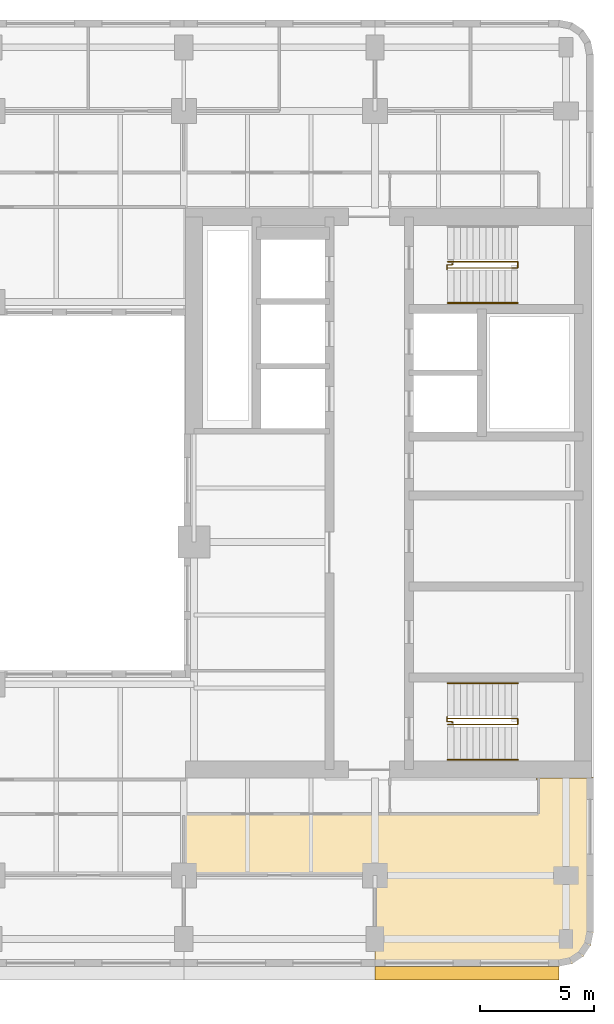
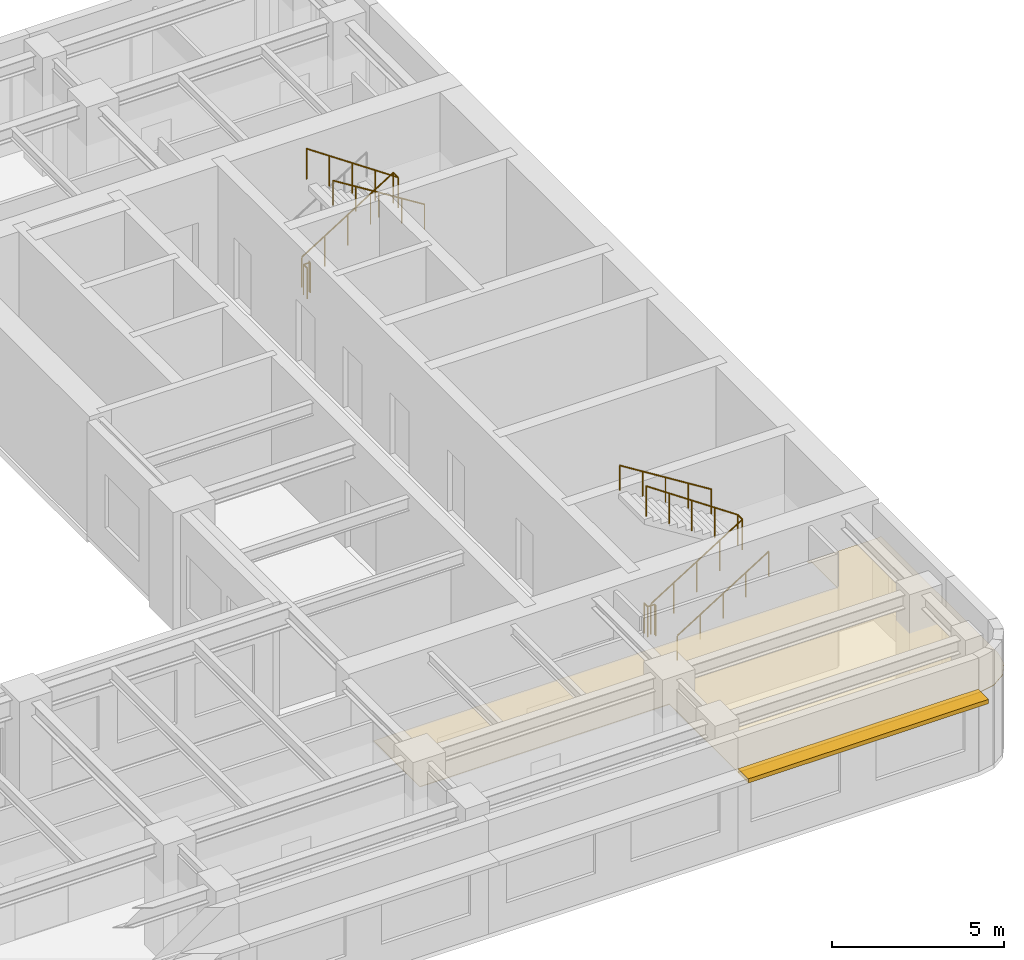
# One storey, part 10 of 11: 7 railings, 1 covering, 1 shading device.
"""IFC4 building model written with IfcOpenShell, lengths in metres."""

from ifc_helpers import new_model, si_unit, direction, frame, origin, origin_2d, place, context, subcontext, project, spatial, polyline, rectangle, circle, outline, extrude, material, layer, layer_set, type_object, element, save


model = new_model("IFC4")

# Units and contexts
model_context = context("Model", 3, precision=1e-05, world=origin(), true_north=direction((0.0, 1.0)))
body_context = subcontext(model_context, "Body", "Model", "MODEL_VIEW")
ifc_project = project(units=[si_unit("LENGTHUNIT", "METRE"), si_unit("AREAUNIT", "SQUARE_METRE"), si_unit("VOLUMEUNIT", "CUBIC_METRE"), si_unit("PLANEANGLEUNIT", "RADIAN"), si_unit("MASSUNIT", "GRAM", prefix="KILO")], contexts=[model_context])

# Site, building, storey
site_placement = place(None, origin())
site = spatial("IfcSite", under=ifc_project, at=site_placement, CompositionType="ELEMENT")
building_placement = place(site_placement, origin())
building = spatial("IfcBuilding", under=site, at=building_placement, Name="Claustro Exchange Tower", CompositionType="ELEMENT")
storey_placement = place(building_placement, frame((0.0, 0.0, 207.0)))
storey = spatial("IfcBuildingStorey", under=building, at=storey_placement, Name="L47", CompositionType="ELEMENT", Elevation=207.0)

# Covering
ifc_material_1 = material(Name="Gypsum board ceiling", Category="gypsum board")
ifc_layer_1 = layer(ifc_material_1, 0.02490234375)
ifc_layer_set_1 = layer_set([ifc_layer_1], Name="Gypsum board ceiling")
covering_type = type_object("IfcCoveringType", Name="CL2 plasterboard ceiling", PredefinedType="CEILING", material=ifc_layer_set_1)
covering_placement = place(storey_placement, frame((0.0, 0.0, 2.800048828125)))
element("IfcCovering", 1, at=covering_placement, inside=storey, type_object=covering_type, Name="Ceiling CL2 L47-08", PredefinedType="CEILING", context=body_context, shape_type="SweptSolid", body=[
    extrude(outline(polyline([(51.60009765625, 5.89990234375), (51.60009765625, 12.695068359375), (51.52490234375, 12.695068359375), (51.52490234375, 12.675048828125), (49.10498046875, 12.675048828125), (49.10498046875, 12.60009765625), (49.199951171875, 12.60009765625), (49.199951171875, 11.10009765625), (33.60009765625, 11.10009765625), (33.60009765625, 8.39990234375), (42.0, 8.39990234375), (42.0, 4.39990234375), (50.10009765625, 4.39990234375), (50.674072265625, 4.51416015625), (51.16064453125, 4.83935546875), (51.48583984375, 5.325927734375), (51.60009765625, 5.89990234375)])), origin(), (0.0, 0.0, 1.0), 0.02490234375),
])

# Railings
ifc_material_2 = material(Name="Steel balustrade, painted", Category="steel")
railing_type_1 = type_object("IfcRailingType", Name="GR2 1100 steel stair guard", PredefinedType="GUARDRAIL", material=ifc_material_2)
railing_1_placement = place(storey_placement, frame((45.199951171875, 15.02490234375, 0.175048828125)))
element("IfcRailing", 2, at=railing_1_placement, inside=storey, type_object=railing_type_1, Name="Stair well guard GR2 stair STEA L47", PredefinedType="GUARDRAIL", context=body_context, shape_type="SweptSolid", body=[
    extrude(circle(Radius=0.02392578125, at=origin_2d()), frame((0.0, 0.0, 1.076171875), z_axis=(0.847998304005, 0.0, 0.529998940003), x_axis=(0.0, 1.0, 0.0)), (0.0, 0.0, 1.0), 3.632080078125),
    extrude(circle(Radius=0.02392578125, at=origin_2d()), frame((3.080078125, 0.0, 3.0009765625), z_axis=(0.0, 1.0, 0.0), x_axis=(-1.0, 0.0, 0.0)), (0.0, 0.0, 1.0), 0.275146484375),
    extrude(circle(Radius=0.02392578125, at=origin_2d()), frame((3.080078125, 0.275146484375, 3.0009765625), z_axis=(-0.826252282691, 0.0, 0.563300244406), x_axis=(0.0, -1.0, 0.0)), (0.0, 0.0, 1.0), 3.727783203125),
    extrude(circle(Radius=0.02099609375, at=origin_2d()), origin(), (0.0, 0.0, 1.0), 1.052001953125),
    extrude(circle(Radius=0.02099609375, at=origin_2d()), frame((0.77001953125, 0.0, 0.481201171875)), (0.0, 0.0, 1.0), 1.052001953125),
    extrude(circle(Radius=0.02099609375, at=origin_2d()), frame((1.5400390625, 0.0, 0.96240234375)), (0.0, 0.0, 1.0), 1.052001953125),
    extrude(circle(Radius=0.02099609375, at=origin_2d()), frame((2.31005859375, 0.0, 1.44384765625)), (0.0, 0.0, 1.0), 1.052001953125),
    extrude(circle(Radius=0.02099609375, at=origin_2d()), frame((3.080078125, 0.0, 1.925048828125)), (0.0, 0.0, 1.0), 1.052001953125),
    extrude(circle(Radius=0.02099609375, at=origin_2d()), frame((3.080078125, 0.275146484375, 1.925048828125)), (0.0, 0.0, 1.0), 1.052001953125),
    extrude(circle(Radius=0.02099609375, at=origin_2d()), frame((2.31005859375, 0.275146484375, 2.449951171875)), (0.0, 0.0, 1.0), 1.052001953125),
    extrude(circle(Radius=0.02099609375, at=origin_2d()), frame((1.5400390625, 0.275146484375, 2.97509765625)), (0.0, 0.0, 1.0), 1.052001953125),
    extrude(circle(Radius=0.02099609375, at=origin_2d()), frame((0.77001953125, 0.275146484375, 3.5)), (0.0, 0.0, 1.0), 1.052001953125),
    extrude(circle(Radius=0.02099609375, at=origin_2d()), frame((0.0, 0.275146484375, 4.02490234375)), (0.0, 0.0, 1.0), 1.052001953125),
])
railing_2_placement = place(storey_placement, frame((45.39990234375, 15.094970703125, 0.0)))
element("IfcRailing", 3, at=railing_2_placement, inside=storey, type_object=railing_type_1, Name="Stair guard GR2 STEA L47", PredefinedType="GUARDRAIL", context=body_context, shape_type="SweptSolid", body=[
    extrude(circle(Radius=0.02392578125, at=origin_2d()), frame((0.0, 0.0, 1.076171875), z_axis=(0.0, 1.0, 0.0), x_axis=(-1.0, 0.0, 0.0)), (0.0, 0.0, 1.0), 0.067626953125),
    extrude(circle(Radius=0.02392578125, at=origin_2d()), frame((0.0, 0.067626953125, 1.076171875), z_axis=(-1.0, 0.0, 0.0), x_axis=(0.0, -1.0, 0.0)), (0.0, 0.0, 1.0), 0.224853515625),
    extrude(circle(Radius=0.02392578125, at=origin_2d()), frame((-0.224853515625, 0.067626953125, 1.076171875), z_axis=(0.0, 1.0, 0.0), x_axis=(-1.0, 0.0, 0.0)), (0.0, 0.0, 1.0), 0.21728515625),
    extrude(circle(Radius=0.02099609375, at=origin_2d()), origin(), (0.0, 0.0, 1.0), 1.052001953125),
    extrude(circle(Radius=0.02099609375, at=origin_2d()), frame((0.0, 0.067626953125, 0.0)), (0.0, 0.0, 1.0), 1.052001953125),
    extrude(circle(Radius=0.02099609375, at=origin_2d()), frame((-0.224853515625, 0.067626953125, 0.0)), (0.0, 0.0, 1.0), 1.052001953125),
    extrude(circle(Radius=0.02099609375, at=origin_2d()), frame((-0.224853515625, 0.284912109375, 0.0)), (0.0, 0.0, 1.0), 1.052001953125),
])
railing_3_placement = place(storey_placement, frame((45.199951171875, 35.375, 0.175048828125)))
element("IfcRailing", 4, at=railing_3_placement, inside=storey, type_object=railing_type_1, Name="Stair well guard GR2 stair STEB L47", PredefinedType="GUARDRAIL", context=body_context, shape_type="SweptSolid", body=[
    extrude(circle(Radius=0.02392578125, at=origin_2d()), frame((0.0, 0.0, 1.076171875), z_axis=(0.847998304005, 0.0, 0.529998940003), x_axis=(0.0, 1.0, 0.0)), (0.0, 0.0, 1.0), 3.632080078125),
    extrude(circle(Radius=0.02392578125, at=origin_2d()), frame((3.080078125, 0.0, 3.0009765625), z_axis=(0.0, -1.0, 0.0), x_axis=(1.0, 0.0, 0.0)), (0.0, 0.0, 1.0), 0.27490234375),
    extrude(circle(Radius=0.02392578125, at=origin_2d()), frame((3.080078125, -0.27490234375, 3.0009765625), z_axis=(-0.826252282691, 0.0, 0.563300244406), x_axis=(0.0, -1.0, 0.0)), (0.0, 0.0, 1.0), 3.727783203125),
    extrude(circle(Radius=0.02099609375, at=origin_2d()), origin(), (0.0, 0.0, 1.0), 1.052001953125),
    extrude(circle(Radius=0.02099609375, at=origin_2d()), frame((0.77001953125, 0.0, 0.481201171875)), (0.0, 0.0, 1.0), 1.052001953125),
    extrude(circle(Radius=0.02099609375, at=origin_2d()), frame((1.5400390625, 0.0, 0.96240234375)), (0.0, 0.0, 1.0), 1.052001953125),
    extrude(circle(Radius=0.02099609375, at=origin_2d()), frame((2.31005859375, 0.0, 1.44384765625)), (0.0, 0.0, 1.0), 1.052001953125),
    extrude(circle(Radius=0.02099609375, at=origin_2d()), frame((3.080078125, 0.0, 1.925048828125)), (0.0, 0.0, 1.0), 1.052001953125),
    extrude(circle(Radius=0.02099609375, at=origin_2d()), frame((3.080078125, -0.27490234375, 1.925048828125)), (0.0, 0.0, 1.0), 1.052001953125),
    extrude(circle(Radius=0.02099609375, at=origin_2d()), frame((2.31005859375, -0.27490234375, 2.449951171875)), (0.0, 0.0, 1.0), 1.052001953125),
    extrude(circle(Radius=0.02099609375, at=origin_2d()), frame((1.5400390625, -0.27490234375, 2.97509765625)), (0.0, 0.0, 1.0), 1.052001953125),
    extrude(circle(Radius=0.02099609375, at=origin_2d()), frame((0.77001953125, -0.27490234375, 3.5)), (0.0, 0.0, 1.0), 1.052001953125),
    extrude(circle(Radius=0.02099609375, at=origin_2d()), frame((0.0, -0.27490234375, 4.02490234375)), (0.0, 0.0, 1.0), 1.052001953125),
])
railing_4_placement = place(storey_placement, frame((45.39990234375, 35.304931640625, 0.0)))
element("IfcRailing", 5, at=railing_4_placement, inside=storey, type_object=railing_type_1, Name="Stair guard GR2 STEB L47", PredefinedType="GUARDRAIL", context=body_context, shape_type="SweptSolid", body=[
    extrude(circle(Radius=0.02392578125, at=origin_2d()), frame((0.0, 0.0, 1.076171875), z_axis=(0.0, -1.0, 0.0), x_axis=(1.0, 0.0, 0.0)), (0.0, 0.0, 1.0), 0.0673828125),
    extrude(circle(Radius=0.02392578125, at=origin_2d()), frame((0.0, -0.0673828125, 1.076171875), z_axis=(-1.0, 0.0, 0.0), x_axis=(0.0, -1.0, 0.0)), (0.0, 0.0, 1.0), 0.224853515625),
    extrude(circle(Radius=0.02392578125, at=origin_2d()), frame((-0.224853515625, -0.0673828125, 1.076171875), z_axis=(0.0, -1.0, 0.0), x_axis=(1.0, 0.0, 0.0)), (0.0, 0.0, 1.0), 0.217529296875),
    extrude(circle(Radius=0.02099609375, at=origin_2d()), origin(), (0.0, 0.0, 1.0), 1.052001953125),
    extrude(circle(Radius=0.02099609375, at=origin_2d()), frame((0.0, -0.0673828125, 0.0)), (0.0, 0.0, 1.0), 1.052001953125),
    extrude(circle(Radius=0.02099609375, at=origin_2d()), frame((-0.224853515625, -0.0673828125, 0.0)), (0.0, 0.0, 1.0), 1.052001953125),
    extrude(circle(Radius=0.02099609375, at=origin_2d()), frame((-0.224853515625, -0.284912109375, 0.0)), (0.0, 0.0, 1.0), 1.052001953125),
])
ifc_material_3 = material(Name="Stainless steel tube", Category="steel")
railing_type_2 = type_object("IfcRailingType", Name="HR1 900 stair handrail", PredefinedType="HANDRAIL", material=ifc_material_3)
railing_5_placement = place(storey_placement, frame((45.199951171875, 13.485107421875, 0.175048828125)))
element("IfcRailing", 6, at=railing_5_placement, inside=storey, type_object=railing_type_2, Name="Handrail HR1 stair STEA L47", PredefinedType="HANDRAIL", context=body_context, shape_type="SweptSolid", body=[
    extrude(circle(Radius=0.02392578125, at=origin_2d()), frame((0.0, 0.0, 0.8759765625), z_axis=(0.847998304005, 0.0, 0.529998940003), x_axis=(0.0, 1.0, 0.0)), (0.0, 0.0, 1.0), 3.632080078125),
    extrude(circle(Radius=0.02099609375, at=origin_2d()), origin(), (0.0, 0.0, 1.0), 0.851806640625),
    extrude(circle(Radius=0.02099609375, at=origin_2d()), frame((0.77001953125, 0.0, 0.481201171875)), (0.0, 0.0, 1.0), 0.851806640625),
    extrude(circle(Radius=0.02099609375, at=origin_2d()), frame((1.5400390625, 0.0, 0.96240234375)), (0.0, 0.0, 1.0), 0.851806640625),
    extrude(circle(Radius=0.02099609375, at=origin_2d()), frame((2.31005859375, 0.0, 1.44384765625)), (0.0, 0.0, 1.0), 0.851806640625),
    extrude(circle(Radius=0.02099609375, at=origin_2d()), frame((3.080078125, 0.0, 1.925048828125)), (0.0, 0.0, 1.0), 0.851806640625),
])
for number, where, name in (
    (7, (48.280029296875, 16.840087890625, 2.27490234375), "Handrail HR1 stair STEA L47"),
    (8, (48.280029296875, 33.56005859375, 2.27490234375), "Handrail HR1 stair STEB L47"),
):
    element("IfcRailing", number, at=place(storey_placement, frame(where)), inside=storey, type_object=railing_type_2, Name=name, PredefinedType="HANDRAIL", context=body_context, shape_type="SweptSolid", body=[
        extrude(circle(Radius=0.02392578125, at=origin_2d()), frame((0.0, 0.0, 0.8759765625), z_axis=(-0.847998304005, 0.0, 0.529998940003), x_axis=(0.0, -1.0, 0.0)), (0.0, 0.0, 1.0), 3.632080078125),
        extrude(circle(Radius=0.02099609375, at=origin_2d()), origin(), (0.0, 0.0, 1.0), 0.851806640625),
        extrude(circle(Radius=0.02099609375, at=origin_2d()), frame((-0.77001953125, 0.0, 0.481201171875)), (0.0, 0.0, 1.0), 0.851806640625),
        extrude(circle(Radius=0.02099609375, at=origin_2d()), frame((-1.5400390625, 0.0, 0.96240234375)), (0.0, 0.0, 1.0), 0.851806640625),
        extrude(circle(Radius=0.02099609375, at=origin_2d()), frame((-2.31005859375, 0.0, 1.44384765625)), (0.0, 0.0, 1.0), 0.851806640625),
        extrude(circle(Radius=0.02099609375, at=origin_2d()), frame((-3.080078125, 0.0, 1.925048828125)), (0.0, 0.0, 1.0), 0.851806640625),
    ])

# Shading device
ifc_material_4 = material(Name="Concrete HA-40 (C40/50), precast, white cement, acid-etched", Category="concrete")
ifc_layer_2 = layer(ifc_material_4, 0.14990234375)
ifc_layer_set_2 = layer_set([ifc_layer_2], Name="Concrete HA-40 (C40/50), precast, white cement, acid-etched")
shading_device_type = type_object("IfcShadingDeviceType", Name="SS1 600 precast concrete SUNSHADE", PredefinedType="SHUTTER", material=ifc_layer_set_2)
shading_device_placement = place(storey_placement, frame((46.04248046875, 4.10009765625, 2.800048828125), z_axis=(0.0, 0.0, 1.0), x_axis=(-1.0, 0.0, 0.0)))
element("IfcShadingDevice", 9, at=shading_device_placement, inside=storey, type_object=shading_device_type, Name="Precast SUNSHADE SS1 L47", PredefinedType="SHUTTER", context=body_context, shape_type="SweptSolid", body=[
    extrude(rectangle(XDim=8.085205078125, YDim=0.60009765625, at=origin_2d()), origin(), (0.0, 0.0, 1.0), 0.14990234375),
])

save(model, "model.ifc")
